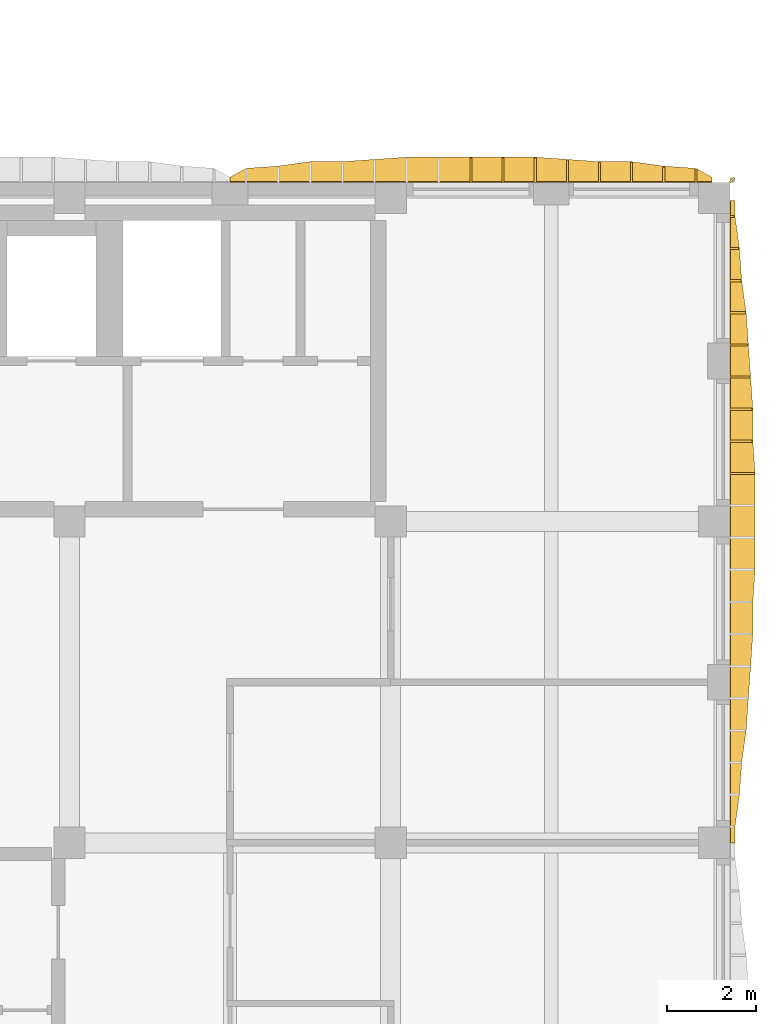
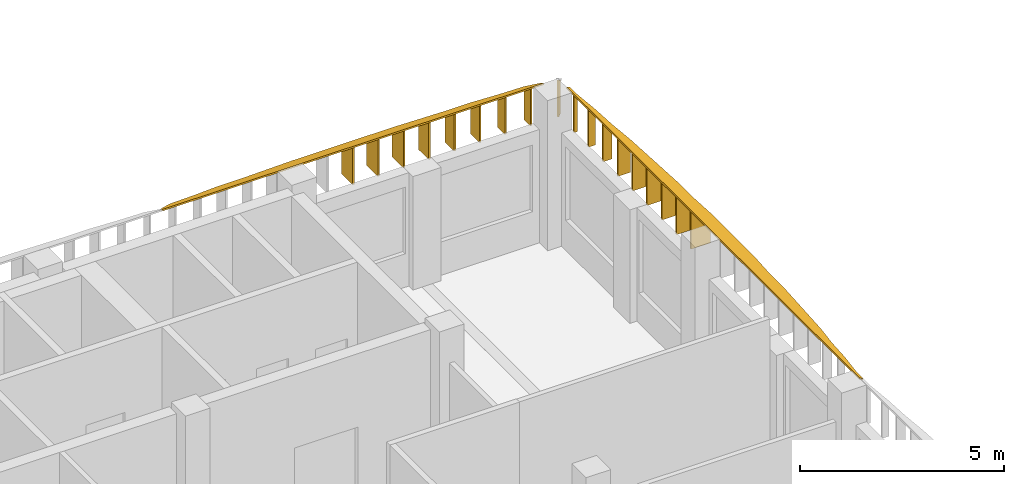
# One storey, part 23 of 38: 20 shading devices.
"""IFC4 building model written with IfcOpenShell, lengths in metres."""

import ifcopenshell
import ifcopenshell.guid

model = None  # the IFC model being written
_history = None  # IfcOwnerHistory: only IFC2X3 demands one
_inside = {}  # id of a spatial element -> (the spatial element, [elements in it])
_under = {}  # id of a project, library or spatial element -> (it, [spatial elements below it])
_declared = {}  # id of a project -> (the project, [libraries it declares])
_typed = {}  # id of a type object -> (the type object, [elements of that type])
_made_of = {}  # id of a material, layer set ... -> (it, [elements and type objects made of it])


def new_model(schema):
    """Start an empty IFC model of exactly this schema.

    Asked for "IFC4X3", IfcOpenShell would pick the latest addendum, in which some entities
    have other attributes; the version numbers below select the first issue.
    IFC2X3 requires an IfcOwnerHistory on every rooted entity: one is made here for all.
    """
    global model, _history
    if schema == "IFC4X3":
        model = ifcopenshell.file(schema_version=(4, 3, 0, 0))
    else:
        model = ifcopenshell.file(schema=schema)
    _inside.clear()
    _under.clear()
    _declared.clear()
    _typed.clear()
    _made_of.clear()
    _history = None
    if model.schema == "IFC2X3":
        org = make("IfcOrganization", Name="unknown")
        user = make(
            "IfcPersonAndOrganization",
            ThePerson=make("IfcPerson", FamilyName="unknown"),
            TheOrganization=org,
        )
        app = make(
            "IfcApplication",
            ApplicationDeveloper=org,
            Version="unknown",
            ApplicationFullName="unknown",
            ApplicationIdentifier="unknown",
        )
        _history = make(
            "IfcOwnerHistory",
            OwningUser=user,
            OwningApplication=app,
            ChangeAction="ADDED",
            CreationDate=0,
        )
    return model


def make(cls, **values):
    """One entity of the class cls with the attributes given. An attribute that is None is left unset."""
    return model.create_entity(
        cls, **{name: value for name, value in values.items() if value is not None}
    )


def rooted(cls, **values):
    """An entity with a GlobalId (a new one), such as an element, a storey or a relation."""
    return make(cls, GlobalId=ifcopenshell.guid.new(), OwnerHistory=_history, **values)


def si_unit(unit_type, name, prefix=None):
    """IfcSIUnit, for example si_unit("LENGTHUNIT", "METRE", prefix="MILLI")."""
    return make("IfcSIUnit", UnitType=unit_type, Prefix=prefix, Name=name)


def assignment(units):
    """IfcUnitAssignment: the units of a project."""
    return None if units is None else make("IfcUnitAssignment", Units=units)


def point(xyz):
    """IfcCartesianPoint."""
    return None if xyz is None else make("IfcCartesianPoint", Coordinates=xyz)


def direction(xyz):
    """IfcDirection."""
    return None if xyz is None else make("IfcDirection", DirectionRatios=xyz)


def frame(location, z_axis=None, x_axis=None):
    """IfcAxis2Placement3D, a coordinate frame: its origin and axes. An axis left out is left unset."""
    return make(
        "IfcAxis2Placement3D",
        Location=point(location),
        Axis=direction(z_axis),
        RefDirection=direction(x_axis),
    )


def origin():
    """The frame at (0, 0, 0) with its axes left unset."""
    return frame((0.0, 0.0, 0.0))


def place(relative_to, where):
    """IfcLocalPlacement: puts the frame where relative to a parent placement (None: the world)."""
    return make(
        "IfcLocalPlacement", PlacementRelTo=relative_to, RelativePlacement=where
    )


def context(
    kind, dimensions, precision=None, world=None, true_north=None, identifier=None
):
    """IfcGeometricRepresentationContext, for example the 3D "Model" context."""
    return make(
        "IfcGeometricRepresentationContext",
        ContextIdentifier=identifier,
        ContextType=kind,
        CoordinateSpaceDimension=dimensions,
        Precision=precision,
        WorldCoordinateSystem=world,
        TrueNorth=true_north,
    )


def subcontext(parent, identifier, kind, view, scale=None):
    """IfcGeometricRepresentationSubContext, for example "Body" below "Model"."""
    return make(
        "IfcGeometricRepresentationSubContext",
        ContextIdentifier=identifier,
        ContextType=kind,
        ParentContext=parent,
        TargetScale=scale,
        TargetView=view,
    )


def project(units=None, contexts=None):
    """IfcProject with its units and contexts."""
    return rooted(
        "IfcProject",
        Name="project",
        RepresentationContexts=contexts,
        UnitsInContext=assignment(units),
    )


def spatial(cls, under=None, at=None, **own):
    """A site, building, storey or space (cls), placed at a placement, below another one or the project."""
    s = rooted(cls, ObjectPlacement=at, **own)
    if under is not None:
        _under.setdefault(under.id(), (under, []))[1].append(s)
    return s


def polyline(points):
    """IfcPolyline through the points."""
    return make("IfcPolyline", Points=[point(p) for p in points])


def outline(outer, holes=None, kind="AREA"):
    """IfcArbitraryClosedProfileDef: a profile drawn as a closed curve; with holes, ...WithVoids."""
    if holes is None:
        return make("IfcArbitraryClosedProfileDef", ProfileType=kind, OuterCurve=outer)
    return make(
        "IfcArbitraryProfileDefWithVoids",
        ProfileType=kind,
        OuterCurve=outer,
        InnerCurves=holes,
    )


def extrude(swept, where, along, depth):
    """IfcExtrudedAreaSolid: the profile swept, set in the frame where, extruded along a direction by depth."""
    return make(
        "IfcExtrudedAreaSolid",
        SweptArea=swept,
        Position=where,
        ExtrudedDirection=direction(along),
        Depth=depth,
    )


def shape(context_of_items, identifier, shape_type, items):
    """IfcShapeRepresentation: the items that make up one representation, for example the "Body"."""
    return make(
        "IfcShapeRepresentation",
        ContextOfItems=context_of_items,
        RepresentationIdentifier=identifier,
        RepresentationType=shape_type,
        Items=items,
    )


def material(Name=None, Category=None):
    """IfcMaterial."""
    return make("IfcMaterial", Name=Name, Category=Category)


def layer(
    of_material, thickness, ventilated=None, Name=None, Category=None, Priority=None
):
    """IfcMaterialLayer: one layer of a wall or slab, of a material (None: an air gap)."""
    return make(
        "IfcMaterialLayer",
        Material=of_material,
        LayerThickness=thickness,
        IsVentilated=ventilated,
        Name=Name,
        Category=Category,
        Priority=Priority,
    )


def layer_set(layers, Name=None):
    """IfcMaterialLayerSet."""
    return make("IfcMaterialLayerSet", MaterialLayers=layers, LayerSetName=Name)


def made_of(thing, what):
    """Note that an element or type object is made of a material, layer set ...; save() writes the relation."""
    if what is not None:
        _made_of.setdefault(what.id(), (what, []))[1].append(thing)
    return thing


def type_object(cls, material=None, **own):
    """A type object (cls), such as IfcWallType, which elements share."""
    return made_of(rooted(cls, **own), material)


def element(
    cls,
    number,
    at=None,
    inside=None,
    cuts=None,
    type_object=None,
    material=None,
    context=None,
    identifier="Body",
    shape_type=None,
    held_by="IfcProductDefinitionShape",
    body=None,
    shapes=None,
    **own,
):
    """One element of the class cls, such as IfcWall. Its Tag is "e" and its number.

    at: its placement. inside: the storey or other place that contains it. cuts: it is an
    opening in that element (IfcRelVoidsElement). A single representation is given by context,
    identifier, shape_type and body (its items); several are given by shapes. held_by: the class
    of the entity that holds the representations. save() writes the other relations.
    """
    e = rooted(cls, Tag="e%d" % number, ObjectPlacement=at, **own)
    if body is not None:
        shapes = [shape(context, identifier, shape_type, body)]
    if shapes is not None:
        e.Representation = make(held_by, Representations=shapes)
    if inside is not None:
        _inside.setdefault(inside.id(), (inside, []))[1].append(e)
    if cuts is not None:
        rooted(
            "IfcRelVoidsElement", RelatingBuildingElement=cuts, RelatedOpeningElement=e
        )
    if type_object is not None:
        _typed.setdefault(type_object.id(), (type_object, []))[1].append(e)
    return made_of(e, material)


def aggregate(whole, parts):
    """IfcRelAggregates: a whole, such as a stair, and the parts it consists of."""
    return rooted("IfcRelAggregates", RelatingObject=whole, RelatedObjects=parts)


def save(model, path):
    """Write the relations noted so far, then the file.

    IfcRelAggregates (storeys below a building ...), IfcRelContainedInSpatialStructure (elements
    in a storey), IfcRelDefinesByType, IfcRelAssociatesMaterial and IfcRelDeclares: one each for
    every whole, place, type object, material and project.
    """
    for whole, parts in _under.values():
        aggregate(whole, parts)
    for where, things in _inside.values():
        rooted(
            "IfcRelContainedInSpatialStructure",
            RelatedElements=things,
            RelatingStructure=where,
        )
    for kind, things in _typed.values():
        rooted("IfcRelDefinesByType", RelatedObjects=things, RelatingType=kind)
    for what, things in _made_of.values():
        rooted("IfcRelAssociatesMaterial", RelatedObjects=things, RelatingMaterial=what)
    for by, libraries in _declared.values():
        rooted("IfcRelDeclares", RelatingContext=by, RelatedDefinitions=libraries)
    model.write(path)


model = new_model("IFC4")

# Units and contexts
model_context = context("Model", 3, precision=1e-05, world=origin(), true_north=direction((0.0, 1.0)))
body_context = subcontext(model_context, "Body", "Model", "MODEL_VIEW")
ifc_project = project(units=[si_unit("LENGTHUNIT", "METRE"), si_unit("AREAUNIT", "SQUARE_METRE"), si_unit("VOLUMEUNIT", "CUBIC_METRE"), si_unit("PLANEANGLEUNIT", "RADIAN"), si_unit("MASSUNIT", "GRAM", prefix="KILO")], contexts=[model_context])

# Site, building, storey
site_placement = place(None, origin())
site = spatial("IfcSite", under=ifc_project, at=site_placement, CompositionType="ELEMENT")
building_placement = place(site_placement, origin())
building = spatial("IfcBuilding", under=site, at=building_placement, Name="Ussher Court Research Institute", CompositionType="ELEMENT")
storey_placement = place(building_placement, frame((0.0, 0.0, 23.39990234375)))
storey = spatial("IfcBuildingStorey", under=building, at=storey_placement, Name="L05", CompositionType="ELEMENT", Elevation=23.39990234375)

# Shading devices
ifc_material_1 = material(Name="Bronze anodised aluminium", Category="aluminium")
ifc_layer_1 = layer(ifc_material_1, 0.050048828125)
ifc_layer_set_1 = layer_set([ifc_layer_1], Name="Bronze anodised aluminium")
shading_device_type_1 = type_object("IfcShadingDeviceType", Name="Brim blade 100 mm deep 1100 mm high canted 26 deg wet", PredefinedType="USERDEFINED", material=ifc_layer_set_1)
shading_device_1_placement = place(storey_placement, frame((104.199951171875, 32.43994140625, 3.35009765625), z_axis=(0.0, 0.0, 1.0), x_axis=(1.0, 0.0, 0.0)))
element("IfcShadingDevice", 1, at=shading_device_1_placement, inside=storey, type_object=shading_device_type_1, Name="Brim blade BS10 L05", ObjectType="BLADE", PredefinedType="USERDEFINED", context=body_context, shape_type="SweptSolid", body=[
    extrude(outline(polyline([(0.0, 0.0), (0.10009765625, 0.0), (0.10009765625, 1.05126953125), (0.0, 1.10009765625), (0.0, 0.0)])), frame((0.0, 0.02490234375, 0.0), z_axis=(0.0, -1.0, 0.0), x_axis=(1.0, 0.0, 0.0)), (0.0, 0.0, 1.0), 0.050048828125),
])
ifc_material_2 = material(Name="Bronze anodised aluminium", Category="aluminium")
ifc_layer_2 = layer(ifc_material_2, 0.050048828125)
ifc_layer_set_2 = layer_set([ifc_layer_2], Name="Bronze anodised aluminium")
shading_device_type_2 = type_object("IfcShadingDeviceType", Name="Brim blade 200 mm deep 1100 mm high canted 26 deg wet", PredefinedType="USERDEFINED", material=ifc_layer_set_2)
shading_device_2_placement = place(storey_placement, frame((104.199951171875, 31.719970703125, 3.35009765625), z_axis=(0.0, 0.0, 1.0), x_axis=(1.0, 0.0, 0.0)))
element("IfcShadingDevice", 2, at=shading_device_2_placement, inside=storey, type_object=shading_device_type_2, Name="Brim blade BS08 L05", ObjectType="BLADE", PredefinedType="USERDEFINED", context=body_context, shape_type="SweptSolid", body=[
    extrude(outline(polyline([(0.0, 0.0), (0.199951171875, 0.0), (0.199951171875, 1.00244140625), (0.0, 1.10009765625), (0.0, 0.0)])), frame((0.0, 0.02490234375, 0.0), z_axis=(0.0, -1.0, 0.0), x_axis=(1.0, 0.0, 0.0)), (0.0, 0.0, 1.0), 0.050048828125),
])
ifc_material_3 = material(Name="Bronze anodised aluminium", Category="aluminium")
ifc_layer_3 = layer(ifc_material_3, 0.050048828125)
ifc_layer_set_3 = layer_set([ifc_layer_3], Name="Bronze anodised aluminium")
shading_device_type_3 = type_object("IfcShadingDeviceType", Name="Brim blade 250 mm deep 1100 mm high canted 26 deg wet", PredefinedType="USERDEFINED", material=ifc_layer_set_3)
shading_device_3_placement = place(storey_placement, frame((104.199951171875, 31.0, 3.35009765625), z_axis=(0.0, 0.0, 1.0), x_axis=(1.0, 0.0, 0.0)))
element("IfcShadingDevice", 3, at=shading_device_3_placement, inside=storey, type_object=shading_device_type_3, Name="Brim blade BS07 L05", ObjectType="BLADE", PredefinedType="USERDEFINED", context=body_context, shape_type="SweptSolid", body=[
    extrude(outline(polyline([(0.0, 0.0), (0.25, 0.0), (0.25, 0.97802734375), (0.0, 1.10009765625), (0.0, 0.0)])), frame((0.0, 0.02490234375, 0.0), z_axis=(0.0, -1.0, 0.0), x_axis=(1.0, 0.0, 0.0)), (0.0, 0.0, 1.0), 0.050048828125),
])
ifc_material_4 = material(Name="Bronze anodised aluminium", Category="aluminium")
ifc_layer_4 = layer(ifc_material_4, 0.050048828125)
ifc_layer_set_4 = layer_set([ifc_layer_4], Name="Bronze anodised aluminium")
shading_device_type_4 = type_object("IfcShadingDeviceType", Name="Brim blade 300 mm deep 1100 mm high canted 26 deg wet", PredefinedType="USERDEFINED", material=ifc_layer_set_4)
shading_device_4_placement = place(storey_placement, frame((103.43994140625, 33.199951171875, 3.35009765625), z_axis=(0.0, 0.0, 1.0), x_axis=(0.0, 1.0, 0.0)))
element("IfcShadingDevice", 4, at=shading_device_4_placement, inside=storey, type_object=shading_device_type_4, Name="Brim blade BS06 L05", ObjectType="BLADE", PredefinedType="USERDEFINED", context=body_context, shape_type="SweptSolid", body=[
    extrude(outline(polyline([(0.0, 0.0), (0.300048828125, 0.0), (0.300048828125, 0.95361328125), (0.0, 1.10009765625), (0.0, 0.0)])), frame((0.0, 0.02490234375, 0.0), z_axis=(0.0, -1.0, 0.0), x_axis=(1.0, 0.0, 0.0)), (0.0, 0.0, 1.0), 0.050048828125),
])
ifc_material_5 = material(Name="Bronze anodised aluminium", Category="aluminium")
ifc_layer_5 = layer(ifc_material_5, 0.050048828125)
ifc_layer_set_5 = layer_set([ifc_layer_5], Name="Bronze anodised aluminium")
shading_device_type_5 = type_object("IfcShadingDeviceType", Name="Brim blade 350 mm deep 1100 mm high canted 26 deg wet", PredefinedType="USERDEFINED", material=ifc_layer_set_5)
for number, where, z_axis, x_axis, name in (
    (5, (104.199951171875, 30.280029296875, 3.35009765625), (0.0, 0.0, 1.0), (1.0, 0.0, 0.0), "Brim blade BS05 L05"),
    (6, (102.719970703125, 33.199951171875, 3.35009765625), (0.0, 0.0, 1.0), (0.0, 1.0, 0.0), "Brim blade BS05 L05"),
):
    element("IfcShadingDevice", number, at=place(storey_placement, frame(where, z_axis=z_axis, x_axis=x_axis)), inside=storey, type_object=shading_device_type_5, Name=name, ObjectType="BLADE", PredefinedType="USERDEFINED", context=body_context, shape_type="SweptSolid", body=[
        extrude(outline(polyline([(0.0, 0.0), (0.35009765625, 0.0), (0.35009765625, 0.92919921875), (0.0, 1.10009765625), (0.0, 0.0)])), frame((0.0, 0.02490234375, 0.0), z_axis=(0.0, -1.0, 0.0), x_axis=(1.0, 0.0, 0.0)), (0.0, 0.0, 1.0), 0.050048828125),
    ])
ifc_material_6 = material(Name="Bronze anodised aluminium", Category="aluminium")
ifc_layer_6 = layer(ifc_material_6, 0.050048828125)
ifc_layer_set_6 = layer_set([ifc_layer_6], Name="Bronze anodised aluminium")
shading_device_type_6 = type_object("IfcShadingDeviceType", Name="Brim blade 400 mm deep 1100 mm high canted 26 deg wet", PredefinedType="USERDEFINED", material=ifc_layer_set_6)
shading_device_5_placement = place(storey_placement, frame((104.199951171875, 29.56005859375, 3.35009765625), z_axis=(0.0, 0.0, 1.0), x_axis=(1.0, 0.0, 0.0)))
element("IfcShadingDevice", 7, at=shading_device_5_placement, inside=storey, type_object=shading_device_type_6, Name="Brim blade BS04 L05", ObjectType="BLADE", PredefinedType="USERDEFINED", context=body_context, shape_type="SweptSolid", body=[
    extrude(outline(polyline([(0.0, 0.0), (0.400146484375, 0.0), (0.39990234375, 0.90478515625), (0.0, 1.10009765625), (0.0, 0.0)])), frame((0.0, 0.02490234375, 0.0), z_axis=(0.0, -1.0, 0.0), x_axis=(1.0, 0.0, 0.0)), (0.0, 0.0, 1.0), 0.050048828125),
])
ifc_material_7 = material(Name="Bronze anodised aluminium", Category="aluminium")
ifc_layer_7 = layer(ifc_material_7, 0.050048828125)
ifc_layer_set_7 = layer_set([ifc_layer_7], Name="Bronze anodised aluminium")
shading_device_type_7 = type_object("IfcShadingDeviceType", Name="Brim blade 450 mm deep 1100 mm high canted 26 deg wet", PredefinedType="USERDEFINED", material=ifc_layer_set_7)
for number, where, z_axis, x_axis, name in (
    (8, (104.199951171875, 28.840087890625, 3.35009765625), (0.0, 0.0, 1.0), (1.0, 0.0, 0.0), "Brim blade BS03 L05"),
    (9, (101.280029296875, 33.199951171875, 3.35009765625), (0.0, 0.0, 1.0), (0.0, 1.0, 0.0), "Brim blade BS03 L05"),
    (10, (102.0, 33.199951171875, 3.35009765625), (0.0, 0.0, 1.0), (0.0, 1.0, 0.0), "Brim blade BS03 L05"),
):
    element("IfcShadingDevice", number, at=place(storey_placement, frame(where, z_axis=z_axis, x_axis=x_axis)), inside=storey, type_object=shading_device_type_7, Name=name, ObjectType="BLADE", PredefinedType="USERDEFINED", context=body_context, shape_type="SweptSolid", body=[
        extrude(outline(polyline([(0.0, 0.0), (0.449951171875, 0.0), (0.449951171875, 0.880615234375), (0.0, 1.10009765625), (0.0, 0.0)])), frame((0.0, 0.02490234375, 0.0), z_axis=(0.0, -1.0, 0.0), x_axis=(1.0, 0.0, 0.0)), (0.0, 0.0, 1.0), 0.050048828125),
    ])
ifc_material_8 = material(Name="Bronze anodised aluminium", Category="aluminium")
ifc_layer_8 = layer(ifc_material_8, 0.050048828125)
ifc_layer_set_8 = layer_set([ifc_layer_8], Name="Bronze anodised aluminium")
shading_device_type_8 = type_object("IfcShadingDeviceType", Name="Brim blade 500 mm deep 1100 mm high canted 26 deg wet", PredefinedType="USERDEFINED", material=ifc_layer_set_8)
for number, where, z_axis, x_axis, name in (
    (11, (104.199951171875, 28.1201171875, 3.35009765625), (0.0, 0.0, 1.0), (1.0, 0.0, 0.0), "Brim blade BS02 L05"),
    (12, (104.199951171875, 27.39990234375, 3.35009765625), (0.0, 0.0, 1.0), (1.0, 0.0, 0.0), "Brim blade BS02 L05"),
    (13, (100.56005859375, 33.199951171875, 3.35009765625), (0.0, 0.0, 1.0), (0.0, 1.0, 0.0), "Brim blade BS02 L05"),
):
    element("IfcShadingDevice", number, at=place(storey_placement, frame(where, z_axis=z_axis, x_axis=x_axis)), inside=storey, type_object=shading_device_type_8, Name=name, ObjectType="BLADE", PredefinedType="USERDEFINED", context=body_context, shape_type="SweptSolid", body=[
        extrude(outline(polyline([(0.0, 0.0), (0.5, 0.0), (0.5, 0.856201171875), (0.0, 1.10009765625), (0.0, 0.0)])), frame((0.0, 0.02490234375, 0.0), z_axis=(0.0, -1.0, 0.0), x_axis=(1.0, 0.0, 0.0)), (0.0, 0.0, 1.0), 0.050048828125),
    ])
ifc_material_9 = material(Name="Bronze anodised aluminium", Category="aluminium")
ifc_layer_9 = layer(ifc_material_9, 0.050048828125)
ifc_layer_set_9 = layer_set([ifc_layer_9], Name="Bronze anodised aluminium")
shading_device_type_9 = type_object("IfcShadingDeviceType", Name="Brim blade 550 mm deep 1100 mm high canted 26 deg wet", PredefinedType="USERDEFINED", material=ifc_layer_set_9)
for number, where, z_axis, x_axis, name in (
    (14, (104.199951171875, 26.679931640625, 3.35009765625), (0.0, 0.0, 1.0), (1.0, 0.0, 0.0), "Brim blade BS01 L05"),
    (15, (98.39990234375, 33.199951171875, 3.35009765625), (0.0, 0.0, 1.0), (0.0, 1.0, 0.0), "Brim blade BS01 L05"),
    (16, (99.1201171875, 33.199951171875, 3.35009765625), (0.0, 0.0, 1.0), (0.0, 1.0, 0.0), "Brim blade BS01 L05"),
    (17, (99.840087890625, 33.199951171875, 3.35009765625), (0.0, 0.0, 1.0), (0.0, 1.0, 0.0), "Brim blade BS01 L05"),
):
    element("IfcShadingDevice", number, at=place(storey_placement, frame(where, z_axis=z_axis, x_axis=x_axis)), inside=storey, type_object=shading_device_type_9, Name=name, ObjectType="BLADE", PredefinedType="USERDEFINED", context=body_context, shape_type="SweptSolid", body=[
        extrude(outline(polyline([(0.0, 0.0), (0.550048828125, 0.0), (0.550048828125, 0.831787109375), (0.0, 1.10009765625), (0.0, 0.0)])), frame((0.0, 0.02490234375, 0.0), z_axis=(0.0, -1.0, 0.0), x_axis=(1.0, 0.0, 0.0)), (0.0, 0.0, 1.0), 0.050048828125),
    ])
ifc_material_10 = material(Name="Bronze anodised aluminium", Category="aluminium")
ifc_layer_10 = layer(ifc_material_10, 0.050048828125)
ifc_layer_set_10 = layer_set([ifc_layer_10], Name="Bronze anodised aluminium")
shading_device_type_10 = type_object("IfcShadingDeviceType", Name="Brim mitre blade 100 mm deep 1100 mm high canted 26 deg wet", PredefinedType="USERDEFINED", material=ifc_layer_set_10)
shading_device_6_placement = place(storey_placement, frame((104.199951171875, 33.199951171875, 3.35009765625), z_axis=(0.0, 0.0, 1.0), x_axis=(0.707106781187, 0.707106781187, 0.0)))
element("IfcShadingDevice", 18, at=shading_device_6_placement, inside=storey, type_object=shading_device_type_10, Name="Brim mitre blade BS18 L05", ObjectType="BLADE", PredefinedType="USERDEFINED", context=body_context, shape_type="SweptSolid", body=[
    extrude(outline(polyline([(0.0, 0.0), (0.1416015625, 0.0), (0.141357421875, 1.00244140625), (0.0, 1.10009765625), (0.0, 0.0)])), frame((0.0, 0.02490234375, 0.0), z_axis=(0.0, -1.0, 0.0), x_axis=(1.0, 0.0, 0.0)), (0.0, 0.0, 1.0), 0.050048828125),
])
ifc_material_11 = material(Name="Bronze anodised aluminium", Category="aluminium")
ifc_layer_11 = layer(ifc_material_11, 0.0400390625)
ifc_layer_set_11 = layer_set([ifc_layer_11], Name="Bronze anodised aluminium")
shading_device_type_11 = type_object("IfcShadingDeviceType", Name="Brim visor sheet 40 mm canted 26 deg wet", PredefinedType="USERDEFINED", material=ifc_layer_set_11)
shading_device_7_placement = place(storey_placement, frame((104.217529296875, 32.800048828125, 4.486083984375), z_axis=(0.438529184396, 0.0, 0.898716949007), x_axis=(0.0, -1.0, 0.0)))
element("IfcShadingDevice", 19, at=shading_device_7_placement, inside=storey, type_object=shading_device_type_11, Name="Brim visor sheet BR1 L05", ObjectType="BRIM", PredefinedType="USERDEFINED", context=body_context, shape_type="SweptSolid", body=[
    extrude(outline(polyline([(0.0, 0.0), (14.400146484375, 0.0), (14.400146484375, 0.11115260474198813), (14.0400390625, 0.11115260474198813), (13.320068359375, 0.22252462280160495), (12.60009765625, 0.27821063183141337), (11.880126953125, 0.3893632365734015), (11.16015625, 0.4449421828140506), (10.43994140625, 0.5006281918438591), (9.719970703125, 0.5563142008736675), (9.0, 0.5563142008736675), (8.280029296875, 0.6120002099034759), (7.56005859375, 0.6120002099034759), (6.840087890625, 0.6120002099034759), (6.1201171875, 0.6120002099034759), (5.400146484375, 0.5563142008736675), (4.679931640625, 0.5563142008736675), (3.9599609375, 0.5006281918438591), (3.239990234375, 0.4449421828140506), (2.52001953125, 0.3893632365734015), (1.800048828125, 0.27821063183141337), (1.080078125, 0.22252462280160495), (0.360107421875, 0.11115260474198813), (0.0, 0.11115260474198813), (0.0, 0.0)])), origin(), (0.0, 0.0, -1.0), 0.0400390625),
])
shading_device_8_placement = place(storey_placement, frame((93.0, 33.217529296875, 4.486083984375), z_axis=(0.0, 0.438493442835, 0.898734388232), x_axis=(1.0, 0.0, 0.0)))
element("IfcShadingDevice", 20, at=shading_device_8_placement, inside=storey, type_object=shading_device_type_11, Name="Brim visor sheet BR1 L05", ObjectType="BRIM", PredefinedType="USERDEFINED", context=body_context, shape_type="SweptSolid", body=[
    extrude(outline(polyline([(0.0, 0.0), (10.800048828125, 0.0), (10.800048828125, 0.11115260091647443), (10.43994140625, 0.3338966378999272), (9.719970703125, 0.3893632295705384), (9.0, 0.5006281939990725), (8.280029296875, 0.5006281939990725), (7.56005859375, 0.5563142032449357), (6.840087890625, 0.612000212490799), (6.1201171875, 0.612000212490799), (5.39990234375, 0.612000212490799), (4.679931640625, 0.612000212490799), (3.9599609375, 0.612000212490799), (3.239990234375, 0.5563142032449357), (2.52001953125, 0.5006281939990725), (1.800048828125, 0.5006281939990725), (1.080078125, 0.3893632295705384), (0.360107421875, 0.3338966378999272), (0.0, 0.11115260091647443), (0.0, 0.0)])), origin(), (0.0, 0.0, -1.0), 0.0400390625),
])

save(model, "model.ifc")
